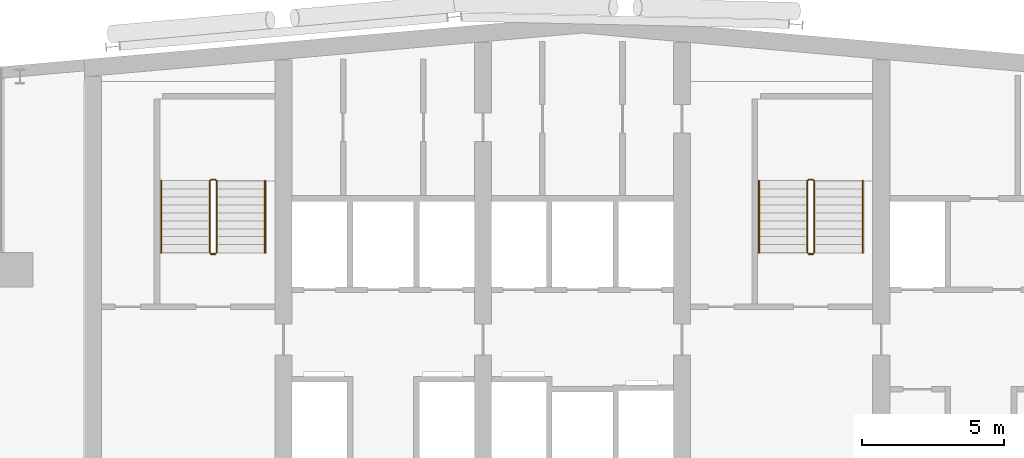
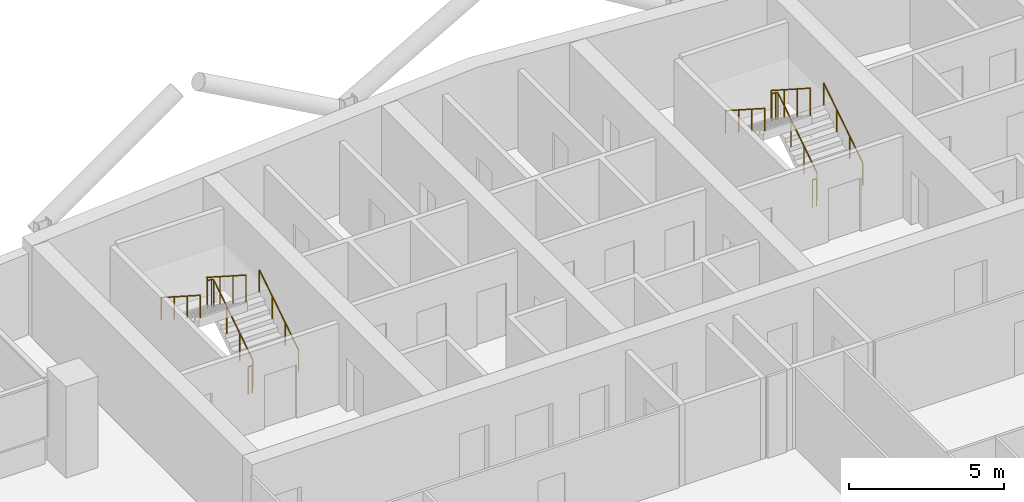
# One storey, part 25 of 25: 8 railings.
"""IFC4 building model written with IfcOpenShell, lengths in metres."""

from ifc_helpers import new_model, si_unit, direction, frame, origin, origin_2d, place, context, subcontext, project, spatial, circle, extrude, material, type_object, element, save


model = new_model("IFC4")

# Units and contexts
model_context = context("Model", 3, precision=1e-05, world=origin(), true_north=direction((0.0, 1.0)))
body_context = subcontext(model_context, "Body", "Model", "MODEL_VIEW")
ifc_project = project(units=[si_unit("LENGTHUNIT", "METRE"), si_unit("AREAUNIT", "SQUARE_METRE"), si_unit("VOLUMEUNIT", "CUBIC_METRE"), si_unit("PLANEANGLEUNIT", "RADIAN"), si_unit("MASSUNIT", "GRAM", prefix="KILO")], contexts=[model_context])

# Site, building, storey
site_placement = place(None, origin())
site = spatial("IfcSite", under=ifc_project, at=site_placement, CompositionType="ELEMENT")
building_placement = place(site_placement, origin())
building = spatial("IfcBuilding", under=site, at=building_placement, Name="Wharfspan Tower", CompositionType="ELEMENT")
storey_placement = place(building_placement, frame((0.0, 0.0, 239.5)))
storey = spatial("IfcBuildingStorey", under=building, at=storey_placement, Name="L60", CompositionType="ELEMENT", Elevation=239.5)

# Railings
ifc_material = material(Name="Steel S355J2", Category="steel")
railing_type_1 = type_object("IfcRailingType", Name="Stair guard 1100", PredefinedType="GUARDRAIL", material=ifc_material)
railing_1_placement = place(storey_placement, frame((27.649902, 42.0, 0.179932)))
element("IfcRailing", 1, at=railing_1_placement, inside=storey, type_object=railing_type_1, Name="L60 ST1 stair guard 1", PredefinedType="GUARDRAIL", context=body_context, shape_type="SweptSolid", body=[
    extrude(circle(Radius=0.023926, at=origin_2d()), frame((0.0, 0.0, 1.076172), z_axis=(0.0, 0.841163, 0.540782), x_axis=(-1.0, 0.0, 0.0)), (0.0, 0.0, 1.0), 2.99585),
    extrude(circle(Radius=0.023926, at=origin_2d()), frame((0.0, 2.52002, 2.696289), z_axis=(-0.705376, 0.708834, 0.0), x_axis=(-0.708834, -0.705376, 0.0)), (0.0, 0.0, 1.0), 0.070557),
    extrude(circle(Radius=0.023926, at=origin_2d()), frame((-0.049805, 2.570068, 2.696289), z_axis=(-1.0, 0.0, 0.0), x_axis=(0.0, -1.0, 0.0)), (0.0, 0.0, 1.0), 0.150146),
    extrude(circle(Radius=0.023926, at=origin_2d()), frame((-0.199951, 2.570068, 2.696289), z_axis=(-0.258848, -0.258848, 0.930589), x_axis=(0.707107, -0.707107, 0.0)), (0.0, 0.0, 1.0), 0.193359),
    extrude(circle(Radius=0.023926, at=origin_2d()), frame((-0.25, 2.52002, 2.875977), z_axis=(0.0, -0.841163, 0.540782), x_axis=(1.0, 0.0, 0.0)), (0.0, 0.0, 1.0), 2.99585),
    extrude(circle(Radius=0.020996, at=origin_2d()), origin(), (0.0, 0.0, 1.0), 1.052002),
    extrude(circle(Radius=0.020996, at=origin_2d()), frame((0.0, 0.840088, 0.540039)), (0.0, 0.0, 1.0), 1.052002),
    extrude(circle(Radius=0.020996, at=origin_2d()), frame((0.0, 1.679932, 1.080078)), (0.0, 0.0, 1.0), 1.052002),
    extrude(circle(Radius=0.020996, at=origin_2d()), frame((0.0, 2.52002, 1.620117)), (0.0, 0.0, 1.0), 1.052002),
    extrude(circle(Radius=0.020996, at=origin_2d()), frame((-0.049805, 2.570068, 1.620117)), (0.0, 0.0, 1.0), 1.052002),
    extrude(circle(Radius=0.020996, at=origin_2d()), frame((-0.199951, 2.570068, 1.620117)), (0.0, 0.0, 1.0), 1.052002),
    extrude(circle(Radius=0.020996, at=origin_2d()), frame((-0.25, 2.52002, 1.800049)), (0.0, 0.0, 1.0), 1.052002),
    extrude(circle(Radius=0.020996, at=origin_2d()), frame((-0.25, 1.679932, 2.340088)), (0.0, 0.0, 1.0), 1.052002),
    extrude(circle(Radius=0.020996, at=origin_2d()), frame((-0.25, 0.840088, 2.880127)), (0.0, 0.0, 1.0), 1.052002),
    extrude(circle(Radius=0.020996, at=origin_2d()), frame((-0.25, 0.0, 3.420166)), (0.0, 0.0, 1.0), 1.052002),
])
railing_2_placement = place(storey_placement, frame((27.600098, 41.949951, 0.0)))
element("IfcRailing", 2, at=railing_2_placement, inside=storey, type_object=railing_type_1, Name="L60 ST1 stair guard 2", PredefinedType="GUARDRAIL", context=body_context, shape_type="SweptSolid", body=[
    extrude(circle(Radius=0.023926, at=origin_2d()), frame((0.0, 0.0, 1.076172), z_axis=(-1.0, 0.0, 0.0), x_axis=(0.0, -1.0, 0.0)), (0.0, 0.0, 1.0), 0.150146),
    extrude(circle(Radius=0.020996, at=origin_2d()), origin(), (0.0, 0.0, 1.0), 1.052002),
    extrude(circle(Radius=0.020996, at=origin_2d()), frame((-0.150146, 0.0, 0.0)), (0.0, 0.0, 1.0), 1.052002),
])
railing_3_placement = place(storey_placement, frame((48.649902, 42.0, 0.179932)))
element("IfcRailing", 3, at=railing_3_placement, inside=storey, type_object=railing_type_1, Name="L60 ST2 stair guard 1", PredefinedType="GUARDRAIL", context=body_context, shape_type="SweptSolid", body=[
    extrude(circle(Radius=0.023926, at=origin_2d()), frame((0.0, 0.0, 1.076172), z_axis=(0.0, 0.841163, 0.540782), x_axis=(-1.0, 0.0, 0.0)), (0.0, 0.0, 1.0), 2.99585),
    extrude(circle(Radius=0.023926, at=origin_2d()), frame((0.0, 2.52002, 2.696289), z_axis=(-0.705376, 0.708834, 0.0), x_axis=(-0.708834, -0.705376, 0.0)), (0.0, 0.0, 1.0), 0.070557),
    extrude(circle(Radius=0.023926, at=origin_2d()), frame((-0.049805, 2.570068, 2.696289), z_axis=(-1.0, 0.0, 0.0), x_axis=(0.0, -1.0, 0.0)), (0.0, 0.0, 1.0), 0.150146),
    extrude(circle(Radius=0.023926, at=origin_2d()), frame((-0.199951, 2.570068, 2.696289), z_axis=(-0.258848, -0.258848, 0.930589), x_axis=(0.707107, -0.707107, 0.0)), (0.0, 0.0, 1.0), 0.193359),
    extrude(circle(Radius=0.023926, at=origin_2d()), frame((-0.25, 2.52002, 2.875977), z_axis=(0.0, -0.841163, 0.540782), x_axis=(1.0, 0.0, 0.0)), (0.0, 0.0, 1.0), 2.99585),
    extrude(circle(Radius=0.020996, at=origin_2d()), origin(), (0.0, 0.0, 1.0), 1.052002),
    extrude(circle(Radius=0.020996, at=origin_2d()), frame((0.0, 0.840088, 0.540039)), (0.0, 0.0, 1.0), 1.052002),
    extrude(circle(Radius=0.020996, at=origin_2d()), frame((0.0, 1.679932, 1.080078)), (0.0, 0.0, 1.0), 1.052002),
    extrude(circle(Radius=0.020996, at=origin_2d()), frame((0.0, 2.52002, 1.620117)), (0.0, 0.0, 1.0), 1.052002),
    extrude(circle(Radius=0.020996, at=origin_2d()), frame((-0.049805, 2.570068, 1.620117)), (0.0, 0.0, 1.0), 1.052002),
    extrude(circle(Radius=0.020996, at=origin_2d()), frame((-0.199951, 2.570068, 1.620117)), (0.0, 0.0, 1.0), 1.052002),
    extrude(circle(Radius=0.020996, at=origin_2d()), frame((-0.25, 2.52002, 1.800049)), (0.0, 0.0, 1.0), 1.052002),
    extrude(circle(Radius=0.020996, at=origin_2d()), frame((-0.25, 1.679932, 2.340088)), (0.0, 0.0, 1.0), 1.052002),
    extrude(circle(Radius=0.020996, at=origin_2d()), frame((-0.25, 0.840088, 2.880127)), (0.0, 0.0, 1.0), 1.052002),
    extrude(circle(Radius=0.020996, at=origin_2d()), frame((-0.25, 0.0, 3.420166)), (0.0, 0.0, 1.0), 1.052002),
])
railing_4_placement = place(storey_placement, frame((48.600098, 41.949951, 0.0)))
element("IfcRailing", 4, at=railing_4_placement, inside=storey, type_object=railing_type_1, Name="L60 ST2 stair guard 2", PredefinedType="GUARDRAIL", context=body_context, shape_type="SweptSolid", body=[
    extrude(circle(Radius=0.023926, at=origin_2d()), frame((0.0, 0.0, 1.076172), z_axis=(-1.0, 0.0, 0.0), x_axis=(0.0, -1.0, 0.0)), (0.0, 0.0, 1.0), 0.150146),
    extrude(circle(Radius=0.020996, at=origin_2d()), origin(), (0.0, 0.0, 1.0), 1.052002),
    extrude(circle(Radius=0.020996, at=origin_2d()), frame((-0.150146, 0.0, 0.0)), (0.0, 0.0, 1.0), 1.052002),
])
railing_type_2 = type_object("IfcRailingType", Name="Stair handrail 900", PredefinedType="HANDRAIL", material=ifc_material)
railing_5_placement = place(storey_placement, frame((29.350098, 42.0, 0.179932)))
element("IfcRailing", 5, at=railing_5_placement, inside=storey, type_object=railing_type_2, Name="L60 ST1 stair handrail 1", PredefinedType="HANDRAIL", context=body_context, shape_type="SweptSolid", body=[
    extrude(circle(Radius=0.023926, at=origin_2d()), frame((0.0, 0.0, 0.875977), z_axis=(0.0, 0.841163, 0.540782), x_axis=(-1.0, 0.0, 0.0)), (0.0, 0.0, 1.0), 2.99585),
    extrude(circle(Radius=0.020996, at=origin_2d()), origin(), (0.0, 0.0, 1.0), 0.851807),
    extrude(circle(Radius=0.020996, at=origin_2d()), frame((0.0, 0.840088, 0.540039)), (0.0, 0.0, 1.0), 0.851807),
    extrude(circle(Radius=0.020996, at=origin_2d()), frame((0.0, 1.679932, 1.080078)), (0.0, 0.0, 1.0), 0.851807),
    extrude(circle(Radius=0.020996, at=origin_2d()), frame((0.0, 2.52002, 1.620117)), (0.0, 0.0, 1.0), 0.851807),
])
railing_6_placement = place(storey_placement, frame((25.699951, 44.52002, 1.97998)))
element("IfcRailing", 6, at=railing_6_placement, inside=storey, type_object=railing_type_2, Name="L60 ST1 stair handrail 2", PredefinedType="HANDRAIL", context=body_context, shape_type="SweptSolid", body=[
    extrude(circle(Radius=0.023926, at=origin_2d()), frame((0.0, 0.0, 0.875977), z_axis=(0.0, -0.841163, 0.540782), x_axis=(1.0, 0.0, 0.0)), (0.0, 0.0, 1.0), 2.99585),
    extrude(circle(Radius=0.020996, at=origin_2d()), origin(), (0.0, 0.0, 1.0), 0.851807),
    extrude(circle(Radius=0.020996, at=origin_2d()), frame((0.0, -0.840088, 0.540039)), (0.0, 0.0, 1.0), 0.851807),
    extrude(circle(Radius=0.020996, at=origin_2d()), frame((0.0, -1.679932, 1.080078)), (0.0, 0.0, 1.0), 0.851807),
    extrude(circle(Radius=0.020996, at=origin_2d()), frame((0.0, -2.52002, 1.620117)), (0.0, 0.0, 1.0), 0.851807),
])
railing_7_placement = place(storey_placement, frame((50.350098, 42.0, 0.179932)))
element("IfcRailing", 7, at=railing_7_placement, inside=storey, type_object=railing_type_2, Name="L60 ST2 stair handrail 1", PredefinedType="HANDRAIL", context=body_context, shape_type="SweptSolid", body=[
    extrude(circle(Radius=0.023926, at=origin_2d()), frame((0.0, 0.0, 0.875977), z_axis=(0.0, 0.841163, 0.540782), x_axis=(-1.0, 0.0, 0.0)), (0.0, 0.0, 1.0), 2.99585),
    extrude(circle(Radius=0.020996, at=origin_2d()), origin(), (0.0, 0.0, 1.0), 0.851807),
    extrude(circle(Radius=0.020996, at=origin_2d()), frame((0.0, 0.840088, 0.540039)), (0.0, 0.0, 1.0), 0.851807),
    extrude(circle(Radius=0.020996, at=origin_2d()), frame((0.0, 1.679932, 1.080078)), (0.0, 0.0, 1.0), 0.851807),
    extrude(circle(Radius=0.020996, at=origin_2d()), frame((0.0, 2.52002, 1.620117)), (0.0, 0.0, 1.0), 0.851807),
])
railing_8_placement = place(storey_placement, frame((46.699951, 44.52002, 1.97998)))
element("IfcRailing", 8, at=railing_8_placement, inside=storey, type_object=railing_type_2, Name="L60 ST2 stair handrail 2", PredefinedType="HANDRAIL", context=body_context, shape_type="SweptSolid", body=[
    extrude(circle(Radius=0.023926, at=origin_2d()), frame((0.0, 0.0, 0.875977), z_axis=(0.0, -0.841163, 0.540782), x_axis=(1.0, 0.0, 0.0)), (0.0, 0.0, 1.0), 2.99585),
    extrude(circle(Radius=0.020996, at=origin_2d()), origin(), (0.0, 0.0, 1.0), 0.851807),
    extrude(circle(Radius=0.020996, at=origin_2d()), frame((0.0, -0.840088, 0.540039)), (0.0, 0.0, 1.0), 0.851807),
    extrude(circle(Radius=0.020996, at=origin_2d()), frame((0.0, -1.679932, 1.080078)), (0.0, 0.0, 1.0), 0.851807),
    extrude(circle(Radius=0.020996, at=origin_2d()), frame((0.0, -2.52002, 1.620117)), (0.0, 0.0, 1.0), 0.851807),
])

save(model, "model.ifc")
